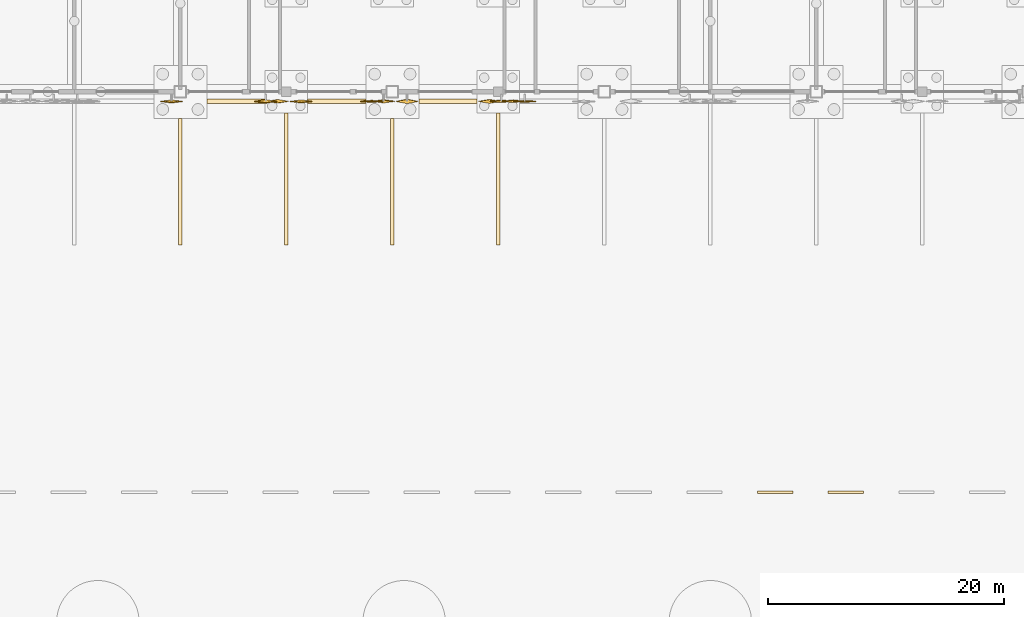
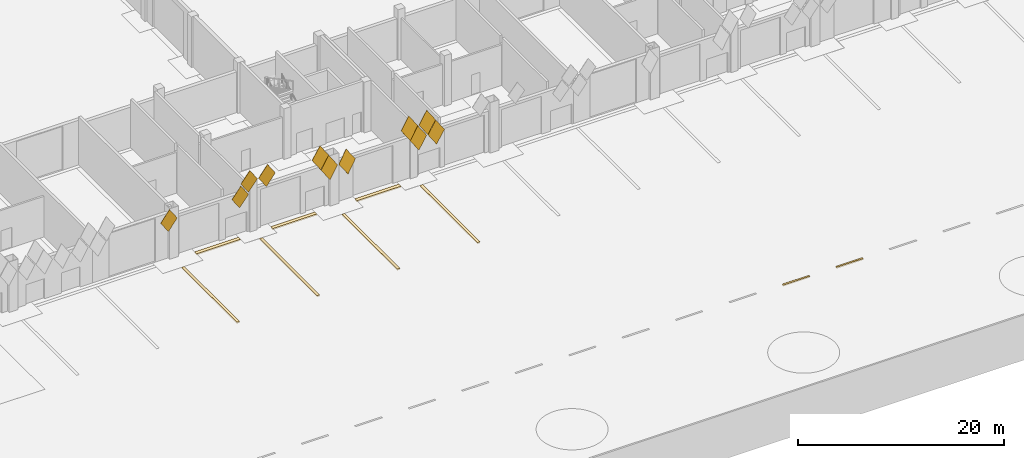
# One storey, part 156 of 198: 20 coverings.
"""IFC4 building model written with IfcOpenShell, lengths in metres."""

from ifc_helpers import new_model, si_unit, direction, frame, origin, place, context, subcontext, project, spatial, polyline, outline, extrude, material, layer, layer_set, material_profile, profile_set, type_object, element, save


model = new_model("IFC4")

# Units and contexts
model_context = context("Model", 3, precision=1e-05, world=origin(), true_north=direction((0.0, 1.0)))
body_context = subcontext(model_context, "Body", "Model", "MODEL_VIEW")
ifc_project = project(units=[si_unit("LENGTHUNIT", "METRE"), si_unit("AREAUNIT", "SQUARE_METRE"), si_unit("VOLUMEUNIT", "CUBIC_METRE"), si_unit("PLANEANGLEUNIT", "RADIAN"), si_unit("MASSUNIT", "GRAM", prefix="KILO")], contexts=[model_context])

# Site, building, storey
site_placement = place(None, origin())
site = spatial("IfcSite", under=ifc_project, at=site_placement, CompositionType="ELEMENT")
building_placement = place(site_placement, origin())
building = spatial("IfcBuilding", under=site, at=building_placement, Name="Opaline Strait Convention Centre", CompositionType="ELEMENT")
storey_placement = place(building_placement, origin())
storey = spatial("IfcBuildingStorey", under=building, at=storey_placement, Name="L00", CompositionType="ELEMENT", Elevation=0.0)

# Coverings
ifc_material_1 = material(Name="White ceramic-faced aluminium tile", Category="aluminium")
ifc_material_profile_1 = material_profile(ifc_material_1, outline(polyline([(0.927978515625, 0.0), (0.0, 1.39208984375), (-0.927978515625, 0.0), (0.0, -1.39208984375), (0.927978515625, 0.0)])), Name="Diamond tile 1856x2784")
ifc_profile_set_1 = profile_set([ifc_material_profile_1], Name="White ceramic-faced aluminium tile")
covering_type_1 = type_object("IfcCoveringType", Name="Diamond wall tile 1856x2784x30 pivot 3 deg", PredefinedType="CLADDING", material=ifc_profile_set_1)
for number, where, z_axis, x_axis, name in (
    (1, (164.25, 53.199951171875, 4.89208984375), (0.0, -0.998812351125, 0.048722553713), (1.0, 0.0, 0.0), "Wall tile XT06 S"),
    (2, (151.25, 53.199951171875, 6.39208984375), (0.0, -0.998812351125, 0.048722553713), (1.0, 0.0, 0.0), "Wall tile XT06 S"),
):
    element("IfcCovering", number, at=place(storey_placement, frame(where, z_axis=z_axis, x_axis=x_axis)), inside=storey, type_object=covering_type_1, Name=name, PredefinedType="CLADDING", context=body_context, shape_type="SweptSolid", body=[
        extrude(outline(polyline([(0.927978515625, 0.0), (0.0, 1.39208984375), (-0.927978515625, 0.0), (0.0, -1.39208984375), (0.927978515625, 0.0)])), origin(), (0.0, 0.0, 1.0), 0.030029296875),
    ])
ifc_material_profile_2 = material_profile(ifc_material_1, outline(polyline([(0.927978515625, 0.0), (0.0, 1.39208984375), (-0.927978515625, 0.0), (0.0, -1.39208984375), (0.927978515625, 0.0)])), Name="Diamond tile 1856x2784")
ifc_profile_set_2 = profile_set([ifc_material_profile_2], Name="White ceramic-faced aluminium tile")
covering_type_2 = type_object("IfcCoveringType", Name="Diamond wall tile 1856x2784x30 pivot 4.5 deg", PredefinedType="CLADDING", material=ifc_profile_set_2)
for number, where, z_axis, x_axis, name in (
    (3, (134.25, 53.199951171875, 4.89208984375), (0.0, -0.996657521232, -0.081693239445), (1.0, 0.0, 0.0), "Wall tile XT09 S"),
    (4, (162.25, 53.199951171875, 4.89208984375), (0.0, -0.997290013252, 0.073570574748), (1.0, 0.0, 0.0), "Wall tile XT09 S"),
    (5, (145.25, 53.199951171875, 6.39208984375), (0.0, -0.996657521232, -0.081693239445), (1.0, 0.0, 0.0), "Wall tile XT09 S"),
    (6, (163.25, 53.199951171875, 6.39208984375), (0.0, -0.997290013252, 0.073570574748), (1.0, 0.0, 0.0), "Wall tile XT09 S"),
):
    element("IfcCovering", number, at=place(storey_placement, frame(where, z_axis=z_axis, x_axis=x_axis)), inside=storey, type_object=covering_type_2, Name=name, PredefinedType="CLADDING", context=body_context, shape_type="SweptSolid", body=[
        extrude(outline(polyline([(0.927978515625, 0.0), (0.0, 1.39208984375), (-0.927978515625, 0.0), (0.0, -1.39208984375), (0.927978515625, 0.0)])), origin(), (0.0, 0.0, 1.0), 0.02978515625),
    ])
ifc_material_profile_3 = material_profile(ifc_material_1, outline(polyline([(0.927978515625, 0.0), (0.0, 1.39208984375), (-0.927978515625, 0.0), (0.0, -1.39208984375), (0.927978515625, 0.0)])), Name="Diamond tile 1856x2784")
ifc_profile_set_3 = profile_set([ifc_material_profile_3], Name="White ceramic-faced aluminium tile")
covering_type_3 = type_object("IfcCoveringType", Name="Diamond wall tile 1856x2784x30 pivot 5.5 deg", PredefinedType="CLADDING", material=ifc_profile_set_3)
covering_1_placement = place(storey_placement, frame((142.25, 53.199951171875, 4.89208984375), z_axis=(0.0, -0.995197410875, -0.097888269922), x_axis=(1.0, 0.0, 0.0)))
element("IfcCovering", 7, at=covering_1_placement, inside=storey, type_object=covering_type_3, Name="Wall tile XT11 S", PredefinedType="CLADDING", context=body_context, shape_type="SweptSolid", body=[
    extrude(outline(polyline([(0.927978515625, 0.0), (0.0, 1.39208984375), (-0.927978515625, 0.0), (0.0, -1.39208984375), (0.927978515625, 0.0)])), origin(), (0.0, 0.0, 1.0), 0.030029296875),
])
covering_2_placement = place(storey_placement, frame((152.25, 53.199951171875, 4.89208984375), z_axis=(0.0, -0.995959849254, 0.089799658539), x_axis=(1.0, 0.0, 0.0)))
element("IfcCovering", 8, at=covering_2_placement, inside=storey, type_object=covering_type_3, Name="Wall tile XT11 S", PredefinedType="CLADDING", context=body_context, shape_type="SweptSolid", body=[
    extrude(outline(polyline([(0.927978515625, 0.0), (0.0, 1.39208984375), (-0.927978515625, 0.0), (0.0, -1.39208984375), (0.927978515625, 0.0)])), origin(), (0.0, 0.0, 1.0), 0.02978515625),
])
ifc_material_profile_4 = material_profile(ifc_material_1, outline(polyline([(0.927978515625, 0.0), (0.0, 1.39208984375), (-0.927978515625, 0.0), (0.0, -1.39208984375), (0.927978515625, 0.0)])), Name="Diamond tile 1856x2784")
ifc_profile_set_4 = profile_set([ifc_material_profile_4], Name="White ceramic-faced aluminium tile")
covering_type_4 = type_object("IfcCoveringType", Name="Diamond wall tile 1856x2784x30 pivot 6 deg", PredefinedType="CLADDING", material=ifc_profile_set_4)
covering_3_placement = place(storey_placement, frame((143.25, 53.199951171875, 6.39208984375), z_axis=(0.0, -0.994370656274, -0.105957528947), x_axis=(1.0, 0.0, 0.0)))
element("IfcCovering", 9, at=covering_3_placement, inside=storey, type_object=covering_type_4, Name="Wall tile XT12 S", PredefinedType="CLADDING", context=body_context, shape_type="SweptSolid", body=[
    extrude(outline(polyline([(0.927978515625, 0.0), (0.0, 1.39208984375), (-0.927978515625, 0.0), (0.0, -1.39208984375), (0.927978515625, 0.0)])), origin(), (0.0, 0.0, 1.0), 0.030029296875),
])
ifc_material_profile_5 = material_profile(ifc_material_1, outline(polyline([(0.927978515625, 0.0), (0.0, 1.39208984375), (-0.927978515625, 0.0), (0.0, -1.39208984375), (0.927978515625, 0.0)])), Name="Diamond tile 1856x2784")
ifc_profile_set_5 = profile_set([ifc_material_profile_5], Name="White ceramic-faced aluminium tile")
covering_type_5 = type_object("IfcCoveringType", Name="Diamond wall tile 1856x2784x30 pivot 6.5 deg", PredefinedType="CLADDING", material=ifc_profile_set_5)
covering_4_placement = place(storey_placement, frame((161.25, 53.199951171875, 6.39208984375), z_axis=(0.0, -0.993480071526, 0.114005909847), x_axis=(1.0, 0.0, 0.0)))
element("IfcCovering", 10, at=covering_4_placement, inside=storey, type_object=covering_type_5, Name="Wall tile XT13 S", PredefinedType="CLADDING", context=body_context, shape_type="SweptSolid", body=[
    extrude(outline(polyline([(0.927978515625, 0.0), (0.0, 1.39208984375), (-0.927978515625, 0.0), (0.0, -1.39208984375), (0.927978515625, 0.0)])), origin(), (0.0, 0.0, 1.0), 0.030029296875),
])
ifc_material_profile_6 = material_profile(ifc_material_1, outline(polyline([(0.927978515625, 0.0), (0.0, 1.39208984375), (-0.927978515625, 0.0), (0.0, -1.39208984375), (0.927978515625, 0.0)])), Name="Diamond tile 1856x2784")
ifc_profile_set_6 = profile_set([ifc_material_profile_6], Name="White ceramic-faced aluminium tile")
covering_type_6 = type_object("IfcCoveringType", Name="Diamond wall tile 1856x2784x30 pivot 7.5 deg", PredefinedType="CLADDING", material=ifc_profile_set_6)
covering_5_placement = place(storey_placement, frame((154.25, 53.199951171875, 4.89208984375), z_axis=(0.0, -0.991509530601, 0.1300340368), x_axis=(1.0, 0.0, 0.0)))
element("IfcCovering", 11, at=covering_5_placement, inside=storey, type_object=covering_type_6, Name="Wall tile XT15 S", PredefinedType="CLADDING", context=body_context, shape_type="SweptSolid", body=[
    extrude(outline(polyline([(0.927978515625, 0.0), (0.0, 1.39208984375), (-0.927978515625, 0.0), (0.0, -1.39208984375), (0.927978515625, 0.0)])), origin(), (0.0, 0.0, 1.0), 0.030029296875),
])
ifc_material_2 = material(Name="Concrete C30 exposed aggregate", Category="concrete")
ifc_layer_1 = layer(ifc_material_2, 0.14990234375)
ifc_layer_set_1 = layer_set([ifc_layer_1], Name="Concrete C30 exposed aggregate")
covering_type_7 = type_object("IfcCoveringType", Name="Site paving 150", PredefinedType="FLOORING", material=ifc_layer_set_1)
covering_6_placement = place(storey_placement, frame((0.0, 0.0, -0.14990234375)))
element("IfcCovering", 12, at=covering_6_placement, inside=storey, type_object=covering_type_7, Name="Site paving surfacing", PredefinedType="FLOORING", context=body_context, shape_type="SweptSolid", body=[
    extrude(outline(polyline([(137.2548828125, 53.39501953125), (137.2548828125, 53.0), (142.195068359375, 53.0), (142.195068359375, 53.39501953125), (137.2548828125, 53.39501953125)])), origin(), (0.0, 0.0, 1.0), 0.14990234375),
])
covering_7_placement = place(storey_placement, frame((0.0, 0.0, -0.14990234375)))
element("IfcCovering", 13, at=covering_7_placement, inside=storey, type_object=covering_type_7, Name="Site paving surfacing", PredefinedType="FLOORING", context=body_context, shape_type="SweptSolid", body=[
    extrude(outline(polyline([(145.804931640625, 53.39501953125), (145.804931640625, 53.0), (150.7451171875, 53.0), (150.7451171875, 53.39501953125), (145.804931640625, 53.39501953125)])), origin(), (0.0, 0.0, 1.0), 0.14990234375),
])
covering_8_placement = place(storey_placement, frame((0.0, 0.0, -0.14990234375)))
element("IfcCovering", 14, at=covering_8_placement, inside=storey, type_object=covering_type_7, Name="Site paving surfacing", PredefinedType="FLOORING", context=body_context, shape_type="SweptSolid", body=[
    extrude(outline(polyline([(155.2548828125, 53.39501953125), (155.2548828125, 53.0), (160.195068359375, 53.0), (160.195068359375, 53.39501953125), (155.2548828125, 53.39501953125)])), origin(), (0.0, 0.0, 1.0), 0.14990234375),
])
ifc_material_3 = material(Name="Road marking paint on concrete", Category="concrete")
ifc_layer_2 = layer(ifc_material_3, 0.14990234375)
ifc_layer_set_2 = layer_set([ifc_layer_2], Name="Road marking paint on concrete")
covering_type_8 = type_object("IfcCoveringType", Name="Yard marking strip 150", PredefinedType="FLOORING", material=ifc_layer_set_2)
covering_9_placement = place(storey_placement, frame((0.0, 0.0, -0.14990234375)))
element("IfcCovering", 15, at=covering_9_placement, inside=storey, type_object=covering_type_8, Name="Truck bay line 5 surfacing", PredefinedType="FLOORING", context=body_context, shape_type="SweptSolid", body=[
    extrude(outline(polyline([(134.85009765625, 51.7451171875), (134.85009765625, 41.0), (135.14990234375, 41.0), (135.14990234375, 51.7451171875), (134.85009765625, 51.7451171875)])), origin(), (0.0, 0.0, 1.0), 0.14990234375),
])
covering_10_placement = place(storey_placement, frame((0.0, 0.0, -0.14990234375)))
element("IfcCovering", 16, at=covering_10_placement, inside=storey, type_object=covering_type_8, Name="Truck bay line 6 surfacing", PredefinedType="FLOORING", context=body_context, shape_type="SweptSolid", body=[
    extrude(outline(polyline([(143.85009765625, 52.195068359375), (143.85009765625, 41.0), (144.14990234375, 41.0), (144.14990234375, 52.195068359375), (143.85009765625, 52.195068359375)])), origin(), (0.0, 0.0, 1.0), 0.14990234375),
])
covering_11_placement = place(storey_placement, frame((0.0, 0.0, -0.14990234375)))
element("IfcCovering", 17, at=covering_11_placement, inside=storey, type_object=covering_type_8, Name="Truck bay line 7 surfacing", PredefinedType="FLOORING", context=body_context, shape_type="SweptSolid", body=[
    extrude(outline(polyline([(152.85009765625, 51.7451171875), (152.85009765625, 41.0), (153.14990234375, 41.0), (153.14990234375, 51.7451171875), (152.85009765625, 51.7451171875)])), origin(), (0.0, 0.0, 1.0), 0.14990234375),
])
covering_12_placement = place(storey_placement, frame((0.0, 0.0, -0.14990234375)))
element("IfcCovering", 18, at=covering_12_placement, inside=storey, type_object=covering_type_8, Name="Truck bay line 8 surfacing", PredefinedType="FLOORING", context=body_context, shape_type="SweptSolid", body=[
    extrude(outline(polyline([(161.85009765625, 52.195068359375), (161.85009765625, 41.0), (162.14990234375, 41.0), (162.14990234375, 52.195068359375), (161.85009765625, 52.195068359375)])), origin(), (0.0, 0.0, 1.0), 0.14990234375),
])
covering_13_placement = place(storey_placement, frame((0.0, 0.0, -0.14990234375)))
element("IfcCovering", 19, at=covering_13_placement, inside=storey, type_object=covering_type_8, Name="Yard centre line dash 15 surfacing", PredefinedType="FLOORING", context=body_context, shape_type="SweptSolid", body=[
    extrude(outline(polyline([(187.0, 20.10009765625), (184.0, 20.10009765625), (184.0, 19.89990234375), (187.0, 19.89990234375), (187.0, 20.10009765625)])), origin(), (0.0, 0.0, 1.0), 0.14990234375),
])
covering_14_placement = place(storey_placement, frame((0.0, 0.0, -0.14990234375)))
element("IfcCovering", 20, at=covering_14_placement, inside=storey, type_object=covering_type_8, Name="Yard centre line dash 16 surfacing", PredefinedType="FLOORING", context=body_context, shape_type="SweptSolid", body=[
    extrude(outline(polyline([(193.0, 20.10009765625), (190.0, 20.10009765625), (190.0, 19.89990234375), (193.0, 19.89990234375), (193.0, 20.10009765625)])), origin(), (0.0, 0.0, 1.0), 0.14990234375),
])

save(model, "model.ifc")
